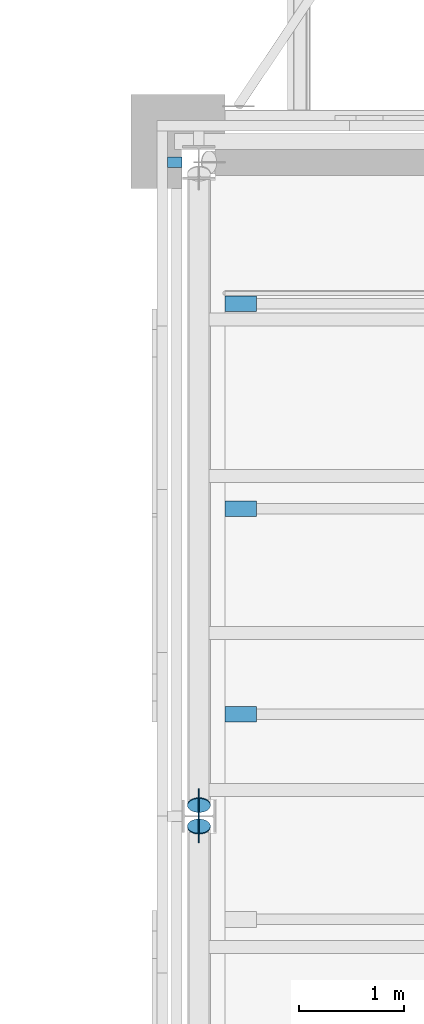
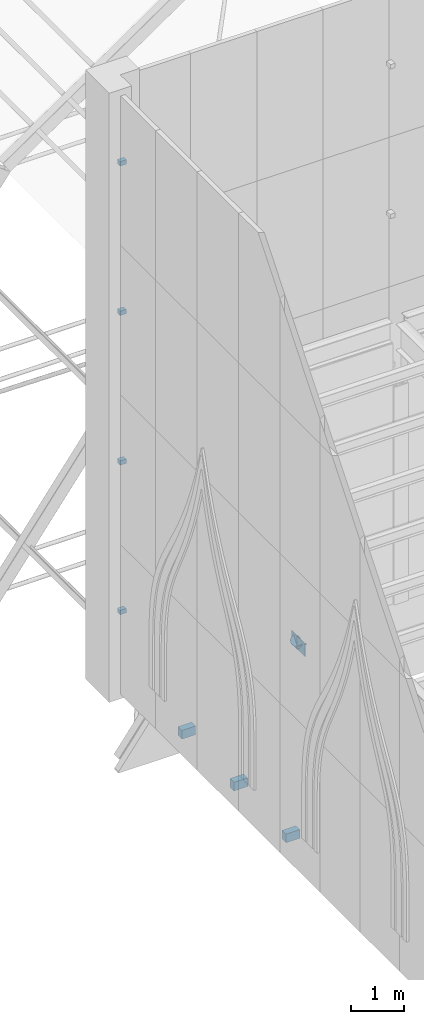
# One storey, part 25 of 43: 11 discrete accessories.
"""IFC4 building model written with IfcOpenShell, lengths in metres."""

import ifcopenshell
import ifcopenshell.guid

model = None  # the IFC model being written
_history = None  # IfcOwnerHistory: only IFC2X3 demands one
_inside = {}  # id of a spatial element -> (the spatial element, [elements in it])
_under = {}  # id of a project, library or spatial element -> (it, [spatial elements below it])
_declared = {}  # id of a project -> (the project, [libraries it declares])
_typed = {}  # id of a type object -> (the type object, [elements of that type])
_made_of = {}  # id of a material, layer set ... -> (it, [elements and type objects made of it])


def new_model(schema):
    """Start an empty IFC model of exactly this schema.

    Asked for "IFC4X3", IfcOpenShell would pick the latest addendum, in which some entities
    have other attributes; the version numbers below select the first issue.
    IFC2X3 requires an IfcOwnerHistory on every rooted entity: one is made here for all.
    """
    global model, _history
    if schema == "IFC4X3":
        model = ifcopenshell.file(schema_version=(4, 3, 0, 0))
    else:
        model = ifcopenshell.file(schema=schema)
    _inside.clear()
    _under.clear()
    _declared.clear()
    _typed.clear()
    _made_of.clear()
    _history = None
    if model.schema == "IFC2X3":
        org = make("IfcOrganization", Name="unknown")
        user = make(
            "IfcPersonAndOrganization",
            ThePerson=make("IfcPerson", FamilyName="unknown"),
            TheOrganization=org,
        )
        app = make(
            "IfcApplication",
            ApplicationDeveloper=org,
            Version="unknown",
            ApplicationFullName="unknown",
            ApplicationIdentifier="unknown",
        )
        _history = make(
            "IfcOwnerHistory",
            OwningUser=user,
            OwningApplication=app,
            ChangeAction="ADDED",
            CreationDate=0,
        )
    return model


def make(cls, **values):
    """One entity of the class cls with the attributes given. An attribute that is None is left unset."""
    return model.create_entity(
        cls, **{name: value for name, value in values.items() if value is not None}
    )


def rooted(cls, **values):
    """An entity with a GlobalId (a new one), such as an element, a storey or a relation."""
    return make(cls, GlobalId=ifcopenshell.guid.new(), OwnerHistory=_history, **values)


def si_unit(unit_type, name, prefix=None):
    """IfcSIUnit, for example si_unit("LENGTHUNIT", "METRE", prefix="MILLI")."""
    return make("IfcSIUnit", UnitType=unit_type, Prefix=prefix, Name=name)


def assignment(units):
    """IfcUnitAssignment: the units of a project."""
    return None if units is None else make("IfcUnitAssignment", Units=units)


def point(xyz):
    """IfcCartesianPoint."""
    return None if xyz is None else make("IfcCartesianPoint", Coordinates=xyz)


def direction(xyz):
    """IfcDirection."""
    return None if xyz is None else make("IfcDirection", DirectionRatios=xyz)


def frame(location, z_axis=None, x_axis=None):
    """IfcAxis2Placement3D, a coordinate frame: its origin and axes. An axis left out is left unset."""
    return make(
        "IfcAxis2Placement3D",
        Location=point(location),
        Axis=direction(z_axis),
        RefDirection=direction(x_axis),
    )


def frame_2d(location, x_axis=None):
    """IfcAxis2Placement2D, a coordinate frame in the plane: its origin and x axis."""
    return make(
        "IfcAxis2Placement2D", Location=point(location), RefDirection=direction(x_axis)
    )


def origin():
    """The frame at (0, 0, 0) with its axes left unset."""
    return frame((0.0, 0.0, 0.0))


def origin_2d():
    """The frame at (0, 0) in the plane with its x axis left unset."""
    return frame_2d((0.0, 0.0))


def place(relative_to, where):
    """IfcLocalPlacement: puts the frame where relative to a parent placement (None: the world)."""
    return make(
        "IfcLocalPlacement", PlacementRelTo=relative_to, RelativePlacement=where
    )


def context(
    kind, dimensions, precision=None, world=None, true_north=None, identifier=None
):
    """IfcGeometricRepresentationContext, for example the 3D "Model" context."""
    return make(
        "IfcGeometricRepresentationContext",
        ContextIdentifier=identifier,
        ContextType=kind,
        CoordinateSpaceDimension=dimensions,
        Precision=precision,
        WorldCoordinateSystem=world,
        TrueNorth=true_north,
    )


def subcontext(parent, identifier, kind, view, scale=None):
    """IfcGeometricRepresentationSubContext, for example "Body" below "Model"."""
    return make(
        "IfcGeometricRepresentationSubContext",
        ContextIdentifier=identifier,
        ContextType=kind,
        ParentContext=parent,
        TargetScale=scale,
        TargetView=view,
    )


def project(units=None, contexts=None):
    """IfcProject with its units and contexts."""
    return rooted(
        "IfcProject",
        Name="project",
        RepresentationContexts=contexts,
        UnitsInContext=assignment(units),
    )


def spatial(cls, under=None, at=None, **own):
    """A site, building, storey or space (cls), placed at a placement, below another one or the project."""
    s = rooted(cls, ObjectPlacement=at, **own)
    if under is not None:
        _under.setdefault(under.id(), (under, []))[1].append(s)
    return s


def profile(cls, at=None, kind="AREA", **sizes):
    """A parametric profile (cls). Its sizes go by their IFC names, for example OverallWidth=200.0."""
    return make(cls, ProfileType=kind, Position=at, **sizes)


def rectangle(**sizes):
    """IfcRectangleProfileDef."""
    return profile("IfcRectangleProfileDef", **sizes)


def circle(**sizes):
    """IfcCircleProfileDef."""
    return profile("IfcCircleProfileDef", **sizes)


def extrude(swept, where, along, depth):
    """IfcExtrudedAreaSolid: the profile swept, set in the frame where, extruded along a direction by depth."""
    return make(
        "IfcExtrudedAreaSolid",
        SweptArea=swept,
        Position=where,
        ExtrudedDirection=direction(along),
        Depth=depth,
    )


def shape(context_of_items, identifier, shape_type, items):
    """IfcShapeRepresentation: the items that make up one representation, for example the "Body"."""
    return make(
        "IfcShapeRepresentation",
        ContextOfItems=context_of_items,
        RepresentationIdentifier=identifier,
        RepresentationType=shape_type,
        Items=items,
    )


def material(Name=None, Category=None):
    """IfcMaterial."""
    return make("IfcMaterial", Name=Name, Category=Category)


def material_profile(
    of_material, cross_section, Name=None, Category=None, Priority=None
):
    """IfcMaterialProfile: a cross section and its material."""
    return make(
        "IfcMaterialProfile",
        Name=Name,
        Material=of_material,
        Profile=cross_section,
        Priority=Priority,
        Category=Category,
    )


def profile_set(profiles, Name=None, composite=None):
    """IfcMaterialProfileSet."""
    return make(
        "IfcMaterialProfileSet",
        Name=Name,
        MaterialProfiles=profiles,
        CompositeProfile=composite,
    )


def made_of(thing, what):
    """Note that an element or type object is made of a material, layer set ...; save() writes the relation."""
    if what is not None:
        _made_of.setdefault(what.id(), (what, []))[1].append(thing)
    return thing


def type_object(cls, material=None, **own):
    """A type object (cls), such as IfcWallType, which elements share."""
    return made_of(rooted(cls, **own), material)


def element(
    cls,
    number,
    at=None,
    inside=None,
    cuts=None,
    type_object=None,
    material=None,
    context=None,
    identifier="Body",
    shape_type=None,
    held_by="IfcProductDefinitionShape",
    body=None,
    shapes=None,
    **own,
):
    """One element of the class cls, such as IfcWall. Its Tag is "e" and its number.

    at: its placement. inside: the storey or other place that contains it. cuts: it is an
    opening in that element (IfcRelVoidsElement). A single representation is given by context,
    identifier, shape_type and body (its items); several are given by shapes. held_by: the class
    of the entity that holds the representations. save() writes the other relations.
    """
    e = rooted(cls, Tag="e%d" % number, ObjectPlacement=at, **own)
    if body is not None:
        shapes = [shape(context, identifier, shape_type, body)]
    if shapes is not None:
        e.Representation = make(held_by, Representations=shapes)
    if inside is not None:
        _inside.setdefault(inside.id(), (inside, []))[1].append(e)
    if cuts is not None:
        rooted(
            "IfcRelVoidsElement", RelatingBuildingElement=cuts, RelatedOpeningElement=e
        )
    if type_object is not None:
        _typed.setdefault(type_object.id(), (type_object, []))[1].append(e)
    return made_of(e, material)


def aggregate(whole, parts):
    """IfcRelAggregates: a whole, such as a stair, and the parts it consists of."""
    return rooted("IfcRelAggregates", RelatingObject=whole, RelatedObjects=parts)


def save(model, path):
    """Write the relations noted so far, then the file.

    IfcRelAggregates (storeys below a building ...), IfcRelContainedInSpatialStructure (elements
    in a storey), IfcRelDefinesByType, IfcRelAssociatesMaterial and IfcRelDeclares: one each for
    every whole, place, type object, material and project.
    """
    for whole, parts in _under.values():
        aggregate(whole, parts)
    for where, things in _inside.values():
        rooted(
            "IfcRelContainedInSpatialStructure",
            RelatedElements=things,
            RelatingStructure=where,
        )
    for kind, things in _typed.values():
        rooted("IfcRelDefinesByType", RelatedObjects=things, RelatingType=kind)
    for what, things in _made_of.values():
        rooted("IfcRelAssociatesMaterial", RelatedObjects=things, RelatingMaterial=what)
    for by, libraries in _declared.values():
        rooted("IfcRelDeclares", RelatingContext=by, RelatedDefinitions=libraries)
    model.write(path)


model = new_model("IFC4")

# Units and contexts
model_context = context("Model", 3, precision=1e-05, world=origin(), true_north=direction((0.0, 1.0)))
body_context = subcontext(model_context, "Body", "Model", "MODEL_VIEW")
ifc_project = project(units=[si_unit("LENGTHUNIT", "METRE"), si_unit("AREAUNIT", "SQUARE_METRE"), si_unit("VOLUMEUNIT", "CUBIC_METRE"), si_unit("PLANEANGLEUNIT", "RADIAN"), si_unit("MASSUNIT", "GRAM", prefix="KILO")], contexts=[model_context])

# Site, building, storey
site_placement = place(None, origin())
site = spatial("IfcSite", under=ifc_project, at=site_placement, CompositionType="ELEMENT")
building_placement = place(site_placement, origin())
building = spatial("IfcBuilding", under=site, at=building_placement, Name="Saffron Lane Theatres", CompositionType="ELEMENT")
storey_placement = place(building_placement, frame((0.0, 0.0, 23.0)))
storey = spatial("IfcBuildingStorey", under=building, at=storey_placement, Name="Roof", CompositionType="ELEMENT", Elevation=23.0)

# Discrete accessories
ifc_material_1 = material(Name="Steel Grade 350", Category="steel")
ifc_material_profile_1 = material_profile(ifc_material_1, rectangle(XDim=0.300048828125, YDim=0.300048828125, at=origin_2d()))
ifc_profile_set_1 = profile_set([ifc_material_profile_1], Name="Steel Grade 350")
discrete_accessory_type_1 = type_object("IfcDiscreteAccessoryType", Name="ST-GUSSET CONNECTION PLATE", PredefinedType="BRACKET", material=ifc_profile_set_1)
for number, where, z_axis, x_axis, name in (
    (1, (18.2451171875, 47.89453125, 4.764892578125), (1.0, 0.0, 0.0), (0.0, 1.0, 0.0), "GB146"),
    (2, (18.2451171875, 48.111572265625, 4.763427734375), (1.0, 0.0, 0.0), (0.0, 1.0, 0.0), "GB150"),
):
    element("IfcDiscreteAccessory", number, at=place(storey_placement, frame(where, z_axis=z_axis, x_axis=x_axis)), inside=storey, type_object=discrete_accessory_type_1, Name=name, PredefinedType="BRACKET", context=body_context, shape_type="SweptSolid", body=[
        extrude(rectangle(XDim=0.300048828125, YDim=0.300048828125, at=origin_2d()), origin(), (0.0, 0.0, 1.0), 0.009765625),
    ])
ifc_material_2 = material(Name="Steel Grade 350", Category="steel")
ifc_material_profile_2 = material_profile(ifc_material_2, circle(Radius=0.109619140625, at=origin_2d()))
ifc_profile_set_2 = profile_set([ifc_material_profile_2], Name="Steel Grade 350")
discrete_accessory_type_2 = type_object("IfcDiscreteAccessoryType", Name="ST-STEEL END CAP 219.1x8.2 CHS", PredefinedType="ANCHORPLATE", material=ifc_profile_set_2)
discrete_accessory_1_placement = place(storey_placement, frame((18.25, 47.89453125, 4.764892578125), z_axis=(0.0, 0.782823254756, 0.622244125575), x_axis=(-1.0, 0.0, 0.0)))
element("IfcDiscreteAccessory", 3, at=discrete_accessory_1_placement, inside=storey, type_object=discrete_accessory_type_2, Name="EC92", PredefinedType="ANCHORPLATE", context=body_context, shape_type="SweptSolid", body=[
    extrude(circle(Radius=0.109619140625, at=origin_2d()), origin(), (0.0, 0.0, 1.0), 0.01220703125),
])
discrete_accessory_2_placement = place(storey_placement, frame((18.25, 48.111572265625, 4.763427734375), z_axis=(0.0, -0.792623989105, 0.60971076085), x_axis=(1.0, 0.0, 0.0)))
element("IfcDiscreteAccessory", 4, at=discrete_accessory_2_placement, inside=storey, type_object=discrete_accessory_type_2, Name="EC96", PredefinedType="ANCHORPLATE", context=body_context, shape_type="SweptSolid", body=[
    extrude(circle(Radius=0.109619140625, at=origin_2d()), origin(), (0.0, 0.0, 1.0), 0.011962890625),
])
for number, where, z_axis, x_axis, name in (
    (5, (18.64990234375, 48.97509765625, -0.44775390625), (0.0, 0.0, 1.0), (1.0, 0.0, 0.0), "FKW23-8"),
    (6, (18.64990234375, 50.9375, -0.44775390625), (0.0, 0.0, 1.0), (1.0, 0.0, 0.0), "FKW23-9"),
    (7, (18.64990234375, 52.89990234375, -0.44775390625), (0.0, 0.0, 1.0), (1.0, 0.0, 0.0), "FKW23-10"),
):
    element("IfcDiscreteAccessory", number, at=place(storey_placement, frame(where, z_axis=z_axis, x_axis=x_axis)), inside=storey, Name=name, PredefinedType="BRACKET", context=body_context, shape_type="SweptSolid", body=[
        extrude(rectangle(XDim=0.300048828125, YDim=0.14990234375, at=origin_2d()), origin(), (0.0, 0.0, 1.0), 0.199951171875),
    ])
for number, where, z_axis, x_axis, name in (
    (8, (18.018310546875, 54.25, 1.768798828125), (0.0, 0.0, 1.0), (0.0, 1.0, 0.0), "Tower panel bracket 65"),
    (9, (18.018310546875, 54.25, 5.206298828125), (0.0, 0.0, 1.0), (0.0, 1.0, 0.0), "Tower panel bracket 66"),
    (10, (18.018310546875, 54.25, 8.643798828125), (0.0, 0.0, 1.0), (0.0, 1.0, 0.0), "Tower panel bracket 67"),
    (11, (18.018310546875, 54.25, 12.081298828125), (0.0, 0.0, 1.0), (0.0, 1.0, 0.0), "Tower panel bracket 68"),
):
    element("IfcDiscreteAccessory", number, at=place(storey_placement, frame(where, z_axis=z_axis, x_axis=x_axis)), inside=storey, Name=name, PredefinedType="BRACKET", context=body_context, shape_type="SweptSolid", body=[
        extrude(rectangle(XDim=0.10009765625, YDim=0.136474609375, at=origin_2d()), origin(), (0.0, 0.0, 1.0), 0.10009765625),
    ])

save(model, "model.ifc")
